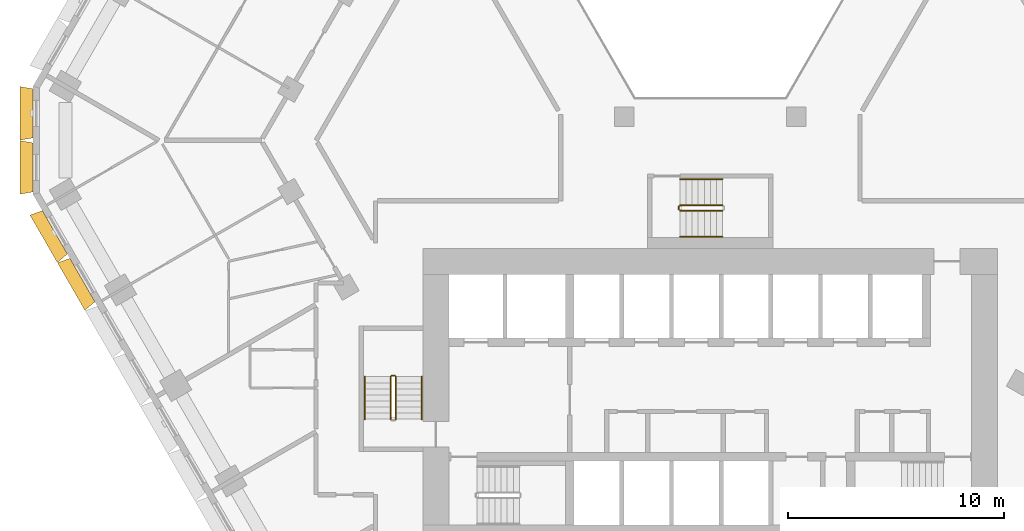
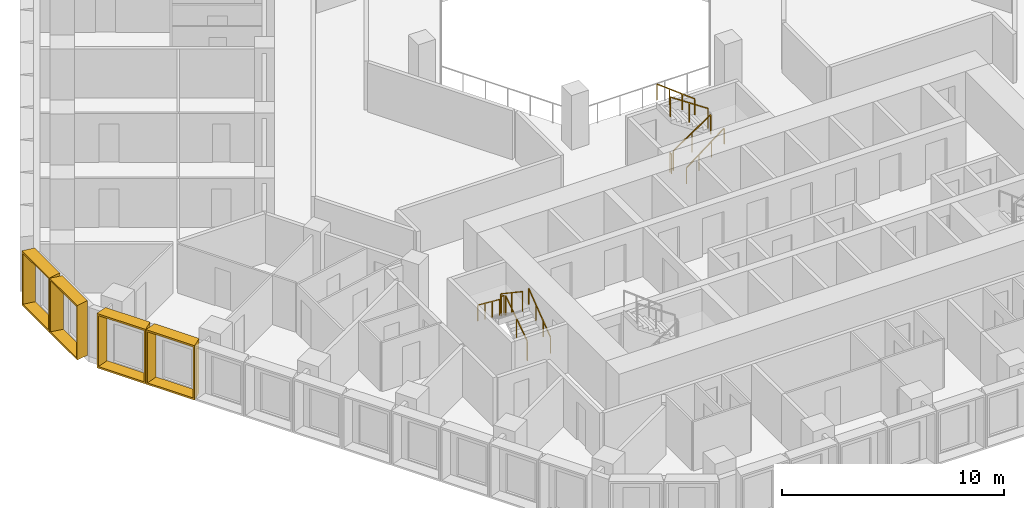
# One storey, part 19 of 21: 10 railings, 4 shading devices.
"""IFC4 building model written with IfcOpenShell, lengths in metres."""

from ifc_helpers import new_model, entity, si_unit, direction, frame, origin, origin_2d, place, context, subcontext, project, spatial, rectangle, extrude, source, transform, mapped, material, type_object, type_shapes, element, save


model = new_model("IFC4")

# Units and contexts
model_context = context("Model", 3, precision=1e-05, world=origin(), true_north=direction((0.0, 1.0)))
body_context = subcontext(model_context, "Body", "Model", "MODEL_VIEW")
ifc_project = project(units=[si_unit("LENGTHUNIT", "METRE"), si_unit("AREAUNIT", "SQUARE_METRE"), si_unit("VOLUMEUNIT", "CUBIC_METRE"), si_unit("PLANEANGLEUNIT", "RADIAN"), si_unit("MASSUNIT", "GRAM", prefix="KILO")], contexts=[model_context])

# Site, building, storey
site_placement = place(None, origin())
site = spatial("IfcSite", under=ifc_project, at=site_placement, CompositionType="ELEMENT")
building_placement = place(site_placement, origin())
building = spatial("IfcBuilding", under=site, at=building_placement, Name="Beryl Residences", CompositionType="ELEMENT")
storey_placement = place(building_placement, frame((0.0, 0.0, 29.39990234375)))
storey = spatial("IfcBuildingStorey", under=building, at=storey_placement, Name="L08", CompositionType="ELEMENT", Elevation=29.39990234375)

# Shading devices
ifc_material_1 = material(Name="Aluminium pale anodised", Category="aluminium")
shading_device_type_1 = type_object("IfcShadingDeviceType", Name="FR250-60A OUTER SKIN frame 600 mm deep, splay 10/10 deg, 2500 x 3000 mm cell", PredefinedType="USERDEFINED", material=ifc_material_1)
cartesian_point_1 = entity("IfcCartesianPoint", [-1.134033203125, 0.0])
cartesian_point_2 = entity("IfcCartesianPoint", [-1.052734375, 0.10009765625])
cartesian_point_3 = entity("IfcCartesianPoint", [-1.23974609375, 0.0])
cartesian_point_4 = entity("IfcCartesianPoint", [-1.158447265625, 0.10009765625])
shared_shape_1 = source(origin(), body_context, "Body", "SweptSolid", [
    entity("IfcExtrudedAreaSolidTapered", entity("IfcArbitraryProfileDefWithVoids", "AREA", None, entity("IfcPolyline", [cartesian_point_1, entity("IfcCartesianPoint", [1.134033203125, 0.0]), entity("IfcCartesianPoint", [1.134033203125, 3.0]), entity("IfcCartesianPoint", [-1.134033203125, 3.0]), cartesian_point_1]), [entity("IfcPolyline", [cartesian_point_2, entity("IfcCartesianPoint", [1.052734375, 0.10009765625]), entity("IfcCartesianPoint", [1.052734375, 2.89990234375]), entity("IfcCartesianPoint", [-1.052734375, 2.89990234375]), cartesian_point_2])]), entity("IfcAxis2Placement3D", entity("IfcCartesianPoint", [0.0, 0.0, 0.0]), entity("IfcDirection", [0.0, 1.0, 0.0]), entity("IfcDirection", [-1.0, 0.0, 0.0])), entity("IfcDirection", [0.0, 0.0, 1.0]), 0.60009765625, entity("IfcArbitraryProfileDefWithVoids", "AREA", None, entity("IfcPolyline", [cartesian_point_3, entity("IfcCartesianPoint", [1.23974609375, 0.0]), entity("IfcCartesianPoint", [1.23974609375, 3.0]), entity("IfcCartesianPoint", [-1.23974609375, 3.0]), cartesian_point_3]), [entity("IfcPolyline", [cartesian_point_4, entity("IfcCartesianPoint", [1.158447265625, 0.10009765625]), entity("IfcCartesianPoint", [1.158447265625, 2.89990234375]), entity("IfcCartesianPoint", [-1.158447265625, 2.89990234375]), cartesian_point_4])])),
])
type_shapes(shading_device_type_1, [shared_shape_1])
for number, where, z_axis, x_axis, name in (
    (1, (-31.35009765625, 1.25, 0.0), (0.0, 0.0, 1.0), (0.0, 1.0, 0.0), "FR250-60A frame L08 NW-SW 1"),
    (2, (-31.35009765625, -1.25, 0.0), (0.0, 0.0, 1.0), (0.0, 1.0, 0.0), "FR250-60A frame L08 NW-SW 2"),
):
    element("IfcShadingDevice", number, at=place(storey_placement, frame(where, z_axis=z_axis, x_axis=x_axis)), inside=storey, type_object=shading_device_type_1, Name=name, ObjectType="OUTER SKIN", PredefinedType="USERDEFINED", context=body_context, shape_type="MappedRepresentation", body=[
        mapped(shared_shape_1, transform((0.0, 0.0, 0.0))),
    ])
ifc_material_2 = material(Name="Aluminium pale anodised", Category="aluminium")
shading_device_type_2 = type_object("IfcShadingDeviceType", Name="FR255-60A OUTER SKIN frame 600 mm deep, splay 10/10 deg, 2550 x 3000 mm cell", PredefinedType="USERDEFINED", material=ifc_material_2)
cartesian_point_5 = entity("IfcCartesianPoint", [-1.158935546875, 0.0])
cartesian_point_6 = entity("IfcCartesianPoint", [-1.077880859375, 0.10009765625])
cartesian_point_7 = entity("IfcCartesianPoint", [-1.264892578125, 0.0])
cartesian_point_8 = entity("IfcCartesianPoint", [-1.18359375, 0.10009765625])
shared_shape_2 = source(origin(), body_context, "Body", "SweptSolid", [
    entity("IfcExtrudedAreaSolidTapered", entity("IfcArbitraryProfileDefWithVoids", "AREA", None, entity("IfcPolyline", [cartesian_point_5, entity("IfcCartesianPoint", [1.158935546875, 0.0]), entity("IfcCartesianPoint", [1.158935546875, 3.0]), entity("IfcCartesianPoint", [-1.158935546875, 3.0]), cartesian_point_5]), [entity("IfcPolyline", [cartesian_point_6, entity("IfcCartesianPoint", [1.077880859375, 0.10009765625]), entity("IfcCartesianPoint", [1.077880859375, 2.89990234375]), entity("IfcCartesianPoint", [-1.077880859375, 2.89990234375]), cartesian_point_6])]), entity("IfcAxis2Placement3D", entity("IfcCartesianPoint", [0.0, 0.0, 0.0]), entity("IfcDirection", [0.0, 1.0, 0.0]), entity("IfcDirection", [-1.0, 0.0, 0.0])), entity("IfcDirection", [0.0, 0.0, 1.0]), 0.60009765625, entity("IfcArbitraryProfileDefWithVoids", "AREA", None, entity("IfcPolyline", [cartesian_point_7, entity("IfcCartesianPoint", [1.264892578125, 0.0]), entity("IfcCartesianPoint", [1.264892578125, 3.0]), entity("IfcCartesianPoint", [-1.264892578125, 3.0]), cartesian_point_7]), [entity("IfcPolyline", [cartesian_point_8, entity("IfcCartesianPoint", [1.18359375, 0.10009765625]), entity("IfcCartesianPoint", [1.18359375, 2.89990234375]), entity("IfcCartesianPoint", [-1.18359375, 2.89990234375]), cartesian_point_8])])),
])
type_shapes(shading_device_type_2, [shared_shape_2])
for number, where, z_axis, x_axis, name in (
    (3, (-30.3359375, -4.2548828125, 0.0), (0.0, 0.0, 1.0), (-0.5, 0.866025403784, 0.0), "FR255-60A frame L08 SW 1"),
    (4, (-29.06005859375, -6.465087890625, 0.0), (0.0, 0.0, 1.0), (-0.5, 0.866025403784, 0.0), "FR255-60A frame L08 SW 2"),
):
    element("IfcShadingDevice", number, at=place(storey_placement, frame(where, z_axis=z_axis, x_axis=x_axis)), inside=storey, type_object=shading_device_type_2, Name=name, ObjectType="OUTER SKIN", PredefinedType="USERDEFINED", context=body_context, shape_type="MappedRepresentation", body=[
        mapped(shared_shape_2, transform((0.0, 0.0, 0.0))),
    ])

# Railings
ifc_material_3 = material(Name="Stainless steel balustrade with glass infill", Category="steel")
railing_type_1 = type_object("IfcRailingType", Name="SG1 stair guard 1100 mm", PredefinedType="GUARDRAIL", material=ifc_material_3)
railing_1_placement = place(storey_placement, frame((-14.550048828125, -12.89990234375, 0.1875)))
element("IfcRailing", 5, at=railing_1_placement, inside=storey, type_object=railing_type_1, Name="L08 ST-2 stair guard 1", PredefinedType="GUARDRAIL", context=body_context, shape_type="SweptSolid", body=[
    extrude(rectangle(XDim=0.048095703125, YDim=0.048095703125, at=origin_2d()), frame((0.0, 0.0, 1.076171875), z_axis=(0.0, 0.830902050051, 0.556418712142), x_axis=(-1.0, 0.0, 0.0)), (0.0, 0.0, 1.0), 2.35888671875),
    extrude(rectangle(XDim=0.0419921875, YDim=0.0419921875, at=origin_2d()), origin(), (0.0, 0.0, 1.0), 1.052001953125),
    extrude(rectangle(XDim=0.0419921875, YDim=0.0419921875, at=origin_2d()), frame((0.0, 0.97998046875, 0.65625)), (0.0, 0.0, 1.0), 1.052001953125),
    extrude(rectangle(XDim=0.0419921875, YDim=0.0419921875, at=origin_2d()), frame((0.0, 1.9599609375, 1.3125)), (0.0, 0.0, 1.0), 1.052001953125),
])
railing_2_placement = place(storey_placement, frame((-14.60009765625, -10.889892578125, 1.5)))
element("IfcRailing", 6, at=railing_2_placement, inside=storey, type_object=railing_type_1, Name="L08 ST-2 stair guard 2", PredefinedType="GUARDRAIL", context=body_context, shape_type="SweptSolid", body=[
    extrude(rectangle(XDim=0.048095703125, YDim=0.048095703125, at=origin_2d()), frame((0.0, 0.0, 1.076171875), z_axis=(-1.0, 0.0, 0.0), x_axis=(0.0, -1.0, 0.0)), (0.0, 0.0, 1.0), 0.14990234375),
    extrude(rectangle(XDim=0.0419921875, YDim=0.0419921875, at=origin_2d()), origin(), (0.0, 0.0, 1.0), 1.052001953125),
    extrude(rectangle(XDim=0.0419921875, YDim=0.0419921875, at=origin_2d()), frame((-0.14990234375, 0.0, 0.0)), (0.0, 0.0, 1.0), 1.052001953125),
])
railing_3_placement = place(storey_placement, frame((-14.800048828125, -10.93994140625, 1.6875)))
element("IfcRailing", 7, at=railing_3_placement, inside=storey, type_object=railing_type_1, Name="L08 ST-2 stair guard 3", PredefinedType="GUARDRAIL", context=body_context, shape_type="SweptSolid", body=[
    extrude(rectangle(XDim=0.048095703125, YDim=0.048095703125, at=origin_2d()), frame((0.0, 0.0, 1.076171875), z_axis=(0.0, -0.830902050051, 0.556418712142), x_axis=(1.0, 0.0, 0.0)), (0.0, 0.0, 1.0), 2.35888671875),
    extrude(rectangle(XDim=0.0419921875, YDim=0.0419921875, at=origin_2d()), origin(), (0.0, 0.0, 1.0), 1.052001953125),
    extrude(rectangle(XDim=0.0419921875, YDim=0.0419921875, at=origin_2d()), frame((0.0, -0.97998046875, 0.65625)), (0.0, 0.0, 1.0), 1.052001953125),
    extrude(rectangle(XDim=0.0419921875, YDim=0.0419921875, at=origin_2d()), frame((0.0, -1.9599609375, 1.3125)), (0.0, 0.0, 1.0), 1.052001953125),
])
railing_4_placement = place(storey_placement, frame((-1.39990234375, -3.25, 0.1875)))
element("IfcRailing", 8, at=railing_4_placement, inside=storey, type_object=railing_type_1, Name="L08 ST-4 stair guard 1", PredefinedType="GUARDRAIL", context=body_context, shape_type="SweptSolid", body=[
    extrude(rectangle(XDim=0.048095703125, YDim=0.048095703125, at=origin_2d()), frame((0.0, 0.0, 1.076171875), z_axis=(0.830902050051, 0.0, 0.556418712142), x_axis=(0.0, 1.0, 0.0)), (0.0, 0.0, 1.0), 2.35888671875),
    extrude(rectangle(XDim=0.0419921875, YDim=0.0419921875, at=origin_2d()), origin(), (0.0, 0.0, 1.0), 1.052001953125),
    extrude(rectangle(XDim=0.0419921875, YDim=0.0419921875, at=origin_2d()), frame((0.97998046875, 0.0, 0.65625)), (0.0, 0.0, 1.0), 1.052001953125),
    extrude(rectangle(XDim=0.0419921875, YDim=0.0419921875, at=origin_2d()), frame((1.9599609375, 0.0, 1.3125)), (0.0, 0.0, 1.0), 1.052001953125),
])
railing_5_placement = place(storey_placement, frame((0.56005859375, -3.0, 1.6875)))
element("IfcRailing", 9, at=railing_5_placement, inside=storey, type_object=railing_type_1, Name="L08 ST-4 stair guard 3", PredefinedType="GUARDRAIL", context=body_context, shape_type="SweptSolid", body=[
    extrude(rectangle(XDim=0.048095703125, YDim=0.048095703125, at=origin_2d()), frame((0.0, 0.0, 1.076171875), z_axis=(-0.830902050051, 0.0, 0.556418712142), x_axis=(0.0, -1.0, 0.0)), (0.0, 0.0, 1.0), 2.35888671875),
    extrude(rectangle(XDim=0.0419921875, YDim=0.0419921875, at=origin_2d()), origin(), (0.0, 0.0, 1.0), 1.052001953125),
    extrude(rectangle(XDim=0.0419921875, YDim=0.0419921875, at=origin_2d()), frame((-0.97998046875, 0.0, 0.65625)), (0.0, 0.0, 1.0), 1.052001953125),
    extrude(rectangle(XDim=0.0419921875, YDim=0.0419921875, at=origin_2d()), frame((-1.9599609375, 0.0, 1.3125)), (0.0, 0.0, 1.0), 1.052001953125),
])
railing_6_placement = place(storey_placement, frame((-1.449951171875, -3.199951171875, 0.0)))
element("IfcRailing", 10, at=railing_6_placement, inside=storey, type_object=railing_type_1, Name="L08 ST-4 stair guard 4", PredefinedType="GUARDRAIL", context=body_context, shape_type="SweptSolid", body=[
    extrude(rectangle(XDim=0.048095703125, YDim=0.048095703125, at=origin_2d()), frame((0.0, 0.0, 1.076171875), z_axis=(0.0, 1.0, 0.0), x_axis=(-1.0, 0.0, 0.0)), (0.0, 0.0, 1.0), 0.14990234375),
    extrude(rectangle(XDim=0.0419921875, YDim=0.0419921875, at=origin_2d()), origin(), (0.0, 0.0, 1.0), 1.052001953125),
    extrude(rectangle(XDim=0.0419921875, YDim=0.0419921875, at=origin_2d()), frame((0.0, 0.14990234375, 0.0)), (0.0, 0.0, 1.0), 1.052001953125),
])
ifc_material_4 = material(Name="Stainless steel handrail", Category="steel")
railing_type_2 = type_object("IfcRailingType", Name="SRL1 stair handrail 900 mm", PredefinedType="HANDRAIL", material=ifc_material_4)
railing_7_placement = place(storey_placement, frame((-13.35009765625, -12.89990234375, 0.1875)))
element("IfcRailing", 11, at=railing_7_placement, inside=storey, type_object=railing_type_2, Name="L08 ST-2 stair handrail 1", PredefinedType="HANDRAIL", context=body_context, shape_type="SweptSolid", body=[
    extrude(rectangle(XDim=0.048095703125, YDim=0.048095703125, at=origin_2d()), frame((0.0, 0.0, 0.8759765625), z_axis=(0.0, 0.794121922505, 0.607758481798), x_axis=(-1.0, 0.0, 0.0)), (0.0, 0.0, 1.0), 2.468017578125),
    extrude(rectangle(XDim=0.0419921875, YDim=0.0419921875, at=origin_2d()), origin(), (0.0, 0.0, 1.0), 0.851806640625),
    extrude(rectangle(XDim=0.0419921875, YDim=0.0419921875, at=origin_2d()), frame((0.0, 0.6533203125, 0.5)), (0.0, 0.0, 1.0), 0.851806640625),
    extrude(rectangle(XDim=0.0419921875, YDim=0.0419921875, at=origin_2d()), frame((0.0, 1.306640625, 1.0)), (0.0, 0.0, 1.0), 0.851806640625),
    extrude(rectangle(XDim=0.0419921875, YDim=0.0419921875, at=origin_2d()), frame((0.0, 1.9599609375, 1.5)), (0.0, 0.0, 1.0), 0.851806640625),
])
railing_8_placement = place(storey_placement, frame((-16.0, -10.93994140625, 1.6875)))
element("IfcRailing", 12, at=railing_8_placement, inside=storey, type_object=railing_type_2, Name="L08 ST-2 stair handrail 2", PredefinedType="HANDRAIL", context=body_context, shape_type="SweptSolid", body=[
    extrude(rectangle(XDim=0.048095703125, YDim=0.048095703125, at=origin_2d()), frame((0.0, 0.0, 0.8759765625), z_axis=(0.0, -0.794121922505, 0.607758481798), x_axis=(1.0, 0.0, 0.0)), (0.0, 0.0, 1.0), 2.468017578125),
    extrude(rectangle(XDim=0.0419921875, YDim=0.0419921875, at=origin_2d()), origin(), (0.0, 0.0, 1.0), 0.851806640625),
    extrude(rectangle(XDim=0.0419921875, YDim=0.0419921875, at=origin_2d()), frame((0.0, -0.6533203125, 0.5)), (0.0, 0.0, 1.0), 0.851806640625),
    extrude(rectangle(XDim=0.0419921875, YDim=0.0419921875, at=origin_2d()), frame((0.0, -1.306640625, 1.0)), (0.0, 0.0, 1.0), 0.851806640625),
    extrude(rectangle(XDim=0.0419921875, YDim=0.0419921875, at=origin_2d()), frame((0.0, -1.9599609375, 1.5)), (0.0, 0.0, 1.0), 0.851806640625),
])
railing_9_placement = place(storey_placement, frame((-1.39990234375, -4.449951171875, 0.1875)))
element("IfcRailing", 13, at=railing_9_placement, inside=storey, type_object=railing_type_2, Name="L08 ST-4 stair handrail 1", PredefinedType="HANDRAIL", context=body_context, shape_type="SweptSolid", body=[
    extrude(rectangle(XDim=0.048095703125, YDim=0.048095703125, at=origin_2d()), frame((0.0, 0.0, 0.8759765625), z_axis=(0.794121922505, 0.0, 0.607758481798), x_axis=(0.0, 1.0, 0.0)), (0.0, 0.0, 1.0), 2.468017578125),
    extrude(rectangle(XDim=0.0419921875, YDim=0.0419921875, at=origin_2d()), origin(), (0.0, 0.0, 1.0), 0.851806640625),
    extrude(rectangle(XDim=0.0419921875, YDim=0.0419921875, at=origin_2d()), frame((0.6533203125, 0.0, 0.5)), (0.0, 0.0, 1.0), 0.851806640625),
    extrude(rectangle(XDim=0.0419921875, YDim=0.0419921875, at=origin_2d()), frame((1.306640625, 0.0, 1.0)), (0.0, 0.0, 1.0), 0.851806640625),
    extrude(rectangle(XDim=0.0419921875, YDim=0.0419921875, at=origin_2d()), frame((1.9599609375, 0.0, 1.5)), (0.0, 0.0, 1.0), 0.851806640625),
])
railing_10_placement = place(storey_placement, frame((0.56005859375, -1.800048828125, 1.6875)))
element("IfcRailing", 14, at=railing_10_placement, inside=storey, type_object=railing_type_2, Name="L08 ST-4 stair handrail 2", PredefinedType="HANDRAIL", context=body_context, shape_type="SweptSolid", body=[
    extrude(rectangle(XDim=0.048095703125, YDim=0.048095703125, at=origin_2d()), frame((0.0, 0.0, 0.8759765625), z_axis=(-0.794121922505, 0.0, 0.607758481798), x_axis=(0.0, -1.0, 0.0)), (0.0, 0.0, 1.0), 2.468017578125),
    extrude(rectangle(XDim=0.0419921875, YDim=0.0419921875, at=origin_2d()), origin(), (0.0, 0.0, 1.0), 0.851806640625),
    extrude(rectangle(XDim=0.0419921875, YDim=0.0419921875, at=origin_2d()), frame((-0.6533203125, 0.0, 0.5)), (0.0, 0.0, 1.0), 0.851806640625),
    extrude(rectangle(XDim=0.0419921875, YDim=0.0419921875, at=origin_2d()), frame((-1.306640625, 0.0, 1.0)), (0.0, 0.0, 1.0), 0.851806640625),
    extrude(rectangle(XDim=0.0419921875, YDim=0.0419921875, at=origin_2d()), frame((-1.9599609375, 0.0, 1.5)), (0.0, 0.0, 1.0), 0.851806640625),
])

save(model, "model.ifc")
